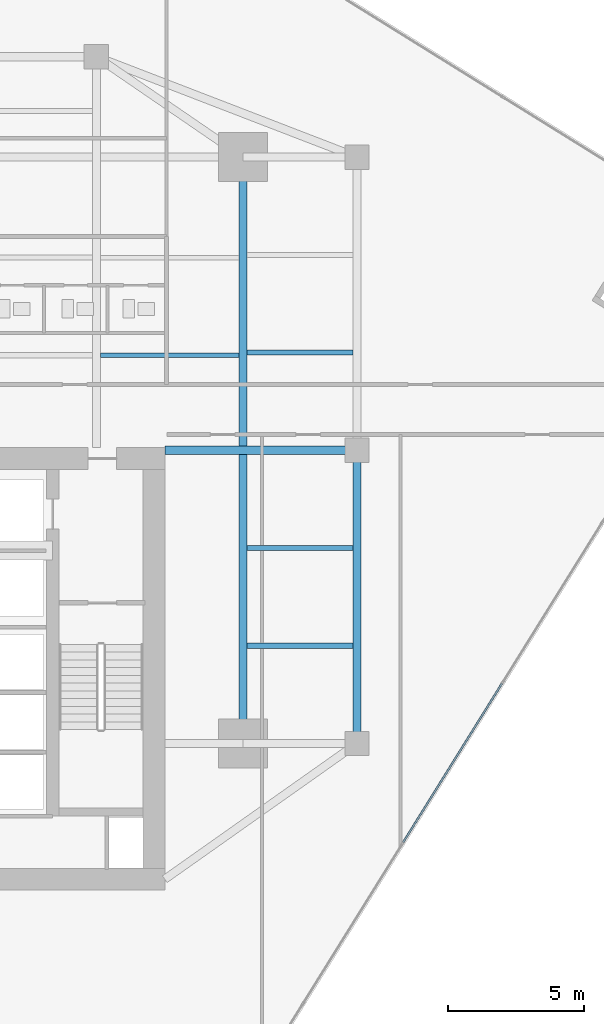
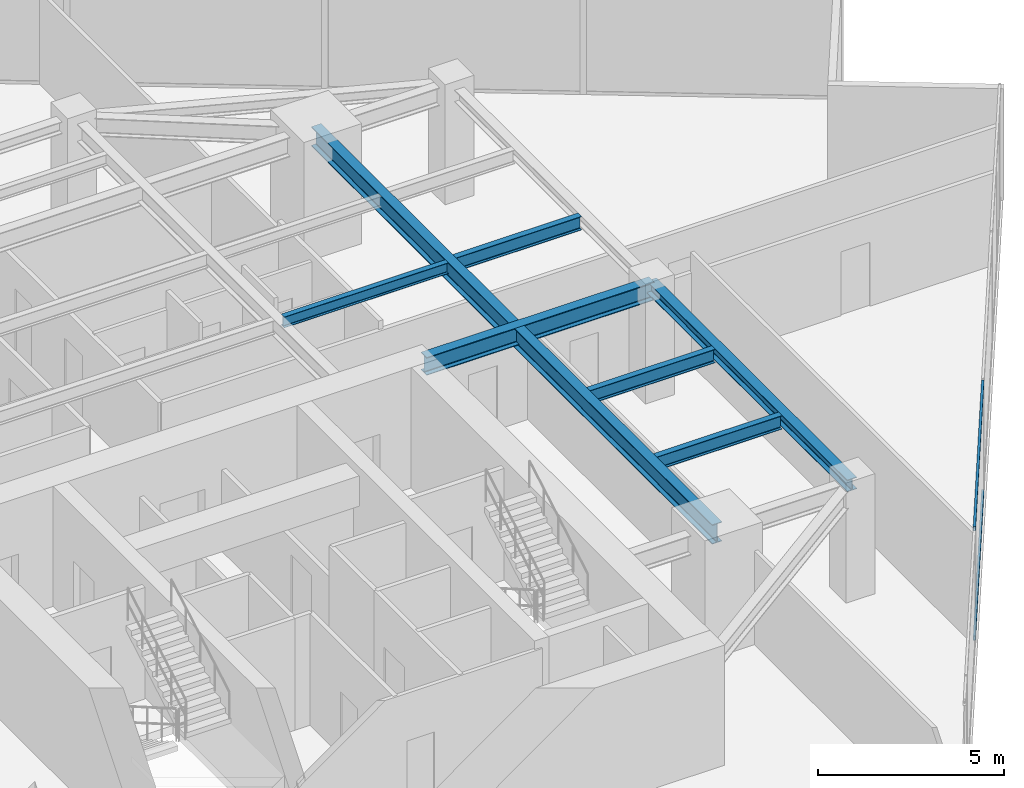
# One storey, part 10 of 25: 7 beams, 2 members, 1 element without a shape of its own.
"""IFC4 building model written with IfcOpenShell, lengths in metres."""

from ifc_helpers import new_model, si_unit, direction, frame, origin, origin_2d, place, context, subcontext, project, spatial, hollow_rectangle, i_section, extrude, source, transform, mapped, material, material_profile, profile_set, type_object, type_shapes, element, aggregate, save


model = new_model("IFC4")

# Units and contexts
model_context = context("Model", 3, precision=1e-05, world=origin(), true_north=direction((0.0, 1.0)))
body_context = subcontext(model_context, "Body", "Model", "MODEL_VIEW")
ifc_project = project(units=[si_unit("LENGTHUNIT", "METRE"), si_unit("AREAUNIT", "SQUARE_METRE"), si_unit("VOLUMEUNIT", "CUBIC_METRE"), si_unit("PLANEANGLEUNIT", "RADIAN"), si_unit("MASSUNIT", "GRAM", prefix="KILO")], contexts=[model_context])

# Site, building, storey
site_placement = place(None, origin())
site = spatial("IfcSite", under=ifc_project, at=site_placement, CompositionType="ELEMENT")
building_placement = place(site_placement, origin())
building = spatial("IfcBuilding", under=site, at=building_placement, Name="Krantzveldt Concourse Tower", CompositionType="ELEMENT")
storey_placement = place(building_placement, frame((0.0, 0.0, 177.800048828125)))
storey = spatial("IfcBuildingStorey", under=building, at=storey_placement, Name="L43", CompositionType="ELEMENT", Elevation=177.800048828125)

# Beams
ifc_material_1 = material(Name="Steel S355JR", Category="steel")
ifc_material_profile_1 = material_profile(ifc_material_1, i_section(OverallWidth=0.300048828125, OverallDepth=0.639892578125, WebThickness=0.013427734375, FlangeThickness=0.02587890625, FilletRadius=0.027099609375, at=origin_2d()), Name="Steel S355JR", Category="steel")
ifc_profile_set_1 = profile_set([ifc_material_profile_1], Name="Steel S355JR - HEA 650")
beam_type_1 = type_object("IfcBeamType", Name="BM-B-HEA650", PredefinedType="BEAM", material=ifc_profile_set_1)
shared_shape_1 = source(origin(), body_context, "Body", "SweptSolid", [
    extrude(i_section(OverallWidth=0.300048828125, OverallDepth=0.639892578125, WebThickness=0.013427734375, FlangeThickness=0.02587890625, FilletRadius=0.027099609375, at=origin_2d()), origin(), (0.0, 0.0, 1.0), 21.60009765625),
])
type_shapes(beam_type_1, [shared_shape_1])
beam_1_placement = place(storey_placement, frame((46.800048828125, 15.89990234375, 3.349853515625), z_axis=(0.0, 1.0, 0.0), x_axis=(-1.0, 0.0, 0.0)))
element("IfcBeam", 1, at=beam_1_placement, inside=storey, type_object=beam_type_1, Name="L43 Tower Girder BG-ME", PredefinedType="BEAM", context=body_context, shape_type="MappedRepresentation", body=[
    mapped(shared_shape_1, transform((0.0, 0.0, 0.0), x_axis=(1.0, 0.0, 0.0), y_axis=(0.0, 1.0, 0.0), z_axis=(0.0, 0.0, 1.0), scale=1.0)),
])
ifc_material_profile_2 = material_profile(ifc_material_1, i_section(OverallWidth=0.300048828125, OverallDepth=0.590087890625, WebThickness=0.012939453125, FlangeThickness=0.02490234375, FilletRadius=0.027099609375, at=origin_2d()), Name="Steel S355JR", Category="steel")
ifc_profile_set_2 = profile_set([ifc_material_profile_2], Name="Steel S355JR - HEA 600")
beam_type_2 = type_object("IfcBeamType", Name="BM-B-HEA600", PredefinedType="BEAM", material=ifc_profile_set_2)
shared_shape_2 = source(origin(), body_context, "Body", "SweptSolid", [
    extrude(i_section(OverallWidth=0.300048828125, OverallDepth=0.590087890625, WebThickness=0.012939453125, FlangeThickness=0.02490234375, FilletRadius=0.027099609375, at=origin_2d()), origin(), (0.0, 0.0, 1.0), 7.080078125),
])
type_shapes(beam_type_2, [shared_shape_2])
beam_2_placement = place(storey_placement, frame((43.919921875, 26.699951171875, 3.375), z_axis=(1.0, 0.0, 0.0), x_axis=(0.0, 1.0, 0.0)))
element("IfcBeam", 2, at=beam_2_placement, inside=storey, type_object=beam_type_2, Name="L43 Tower Girder BG-CE2", PredefinedType="BEAM", context=body_context, shape_type="MappedRepresentation", body=[
    mapped(shared_shape_2, transform((0.0, 0.0, 0.0), x_axis=(1.0, 0.0, 0.0), y_axis=(0.0, 1.0, 0.0), z_axis=(0.0, 0.0, 1.0), scale=1.0)),
])
ifc_material_profile_3 = material_profile(ifc_material_1, i_section(OverallWidth=0.300048828125, OverallDepth=0.389892578125, WebThickness=0.010986328125, FlangeThickness=0.01904296875, FilletRadius=0.027099609375, at=origin_2d()), Name="Steel S355JR", Category="steel")
ifc_profile_set_3 = profile_set([ifc_material_profile_3], Name="Steel S355JR - HEA 400")
beam_type_3 = type_object("IfcBeamType", Name="BM-SP-HEA400", PredefinedType="SPANDREL", material=ifc_profile_set_3)
shared_shape_3 = source(origin(), body_context, "Body", "SweptSolid", [
    extrude(i_section(OverallWidth=0.300048828125, OverallDepth=0.389892578125, WebThickness=0.010986328125, FlangeThickness=0.01904296875, FilletRadius=0.027099609375, at=origin_2d()), origin(), (0.0, 0.0, 1.0), 10.800048828125),
])
type_shapes(beam_type_3, [shared_shape_3])
beam_3_placement = place(storey_placement, frame((51.0, 26.699951171875, 3.474853515625), z_axis=(0.0, -1.0, 0.0), x_axis=(1.0, 0.0, 0.0)))
element("IfcBeam", 3, at=beam_3_placement, inside=storey, type_object=beam_type_3, Name="L43 Tower Girder SP-R07", PredefinedType="SPANDREL", context=body_context, shape_type="MappedRepresentation", body=[
    mapped(shared_shape_3, transform((0.0, 0.0, 0.0), x_axis=(1.0, 0.0, 0.0), y_axis=(0.0, 1.0, 0.0), z_axis=(0.0, 0.0, 1.0), scale=1.0)),
])
ifc_material_profile_4 = material_profile(ifc_material_1, i_section(OverallWidth=0.169921875, OverallDepth=0.360107421875, WebThickness=0.008056640625, FlangeThickness=0.0126953125, FilletRadius=0.01806640625, at=origin_2d()), Name="Steel S355JR", Category="steel")
ifc_profile_set_4 = profile_set([ifc_material_profile_4], Name="Steel S355JR - IPE 360")
beam_type_4 = type_object("IfcBeamType", Name="BM-J-IPE360", PredefinedType="JOIST", material=ifc_profile_set_4)
shared_shape_4 = source(origin(), body_context, "Body", "SweptSolid", [
    extrude(i_section(OverallWidth=0.169921875, OverallDepth=0.360107421875, WebThickness=0.008056640625, FlangeThickness=0.0126953125, FilletRadius=0.01806640625, at=origin_2d()), origin(), (0.0, 0.0, 1.0), 5.099853515625),
])
type_shapes(beam_type_4, [shared_shape_4])
beam_4_placement = place(storey_placement, frame((41.550048828125, 30.199951171875, 3.489990234375), z_axis=(1.0, 0.0, 0.0), x_axis=(0.0, 1.0, 0.0)))
element("IfcBeam", 4, at=beam_4_placement, inside=storey, type_object=beam_type_4, Name="L43 Secondary Floor Joist JN-E1", PredefinedType="JOIST", context=body_context, shape_type="MappedRepresentation", body=[
    mapped(shared_shape_4, transform((0.0, 0.0, 0.0), x_axis=(1.0, 0.0, 0.0), y_axis=(0.0, 1.0, 0.0), z_axis=(0.0, 0.0, 1.0), scale=1.0)),
])
ifc_material_profile_5 = material_profile(ifc_material_1, i_section(OverallWidth=0.18994140625, OverallDepth=0.449951171875, WebThickness=0.009521484375, FlangeThickness=0.0146484375, FilletRadius=0.02099609375, at=origin_2d()), Name="Steel S355JR", Category="steel")
ifc_profile_set_5 = profile_set([ifc_material_profile_5], Name="Steel S355JR - IPE 450")
beam_type_5 = type_object("IfcBeamType", Name="BM-J-IPE450", PredefinedType="JOIST", material=ifc_profile_set_5)
shared_shape_5 = source(origin(), body_context, "Body", "SweptSolid", [
    extrude(i_section(OverallWidth=0.18994140625, OverallDepth=0.449951171875, WebThickness=0.009521484375, FlangeThickness=0.0146484375, FilletRadius=0.02099609375, at=origin_2d()), origin(), (0.0, 0.0, 1.0), 3.900146484375),
])
type_shapes(beam_type_5, [shared_shape_5])
for number, where, z_axis, x_axis, name in (
    (5, (46.949951171875, 19.5, 3.445068359375), (1.0, 0.0, 0.0), (0.0, 1.0, 0.0), "L43 Secondary Floor Joist JE-1"),
    (6, (46.949951171875, 23.10009765625, 3.445068359375), (1.0, 0.0, 0.0), (0.0, 1.0, 0.0), "L43 Secondary Floor Joist JE-2"),
    (7, (46.949951171875, 30.300048828125, 3.445068359375), (1.0, 0.0, 0.0), (0.0, 1.0, 0.0), "L43 Secondary Floor Joist JE-3"),
):
    element("IfcBeam", number, at=place(storey_placement, frame(where, z_axis=z_axis, x_axis=x_axis)), inside=storey, type_object=beam_type_5, Name=name, PredefinedType="JOIST", context=body_context, shape_type="MappedRepresentation", body=[
        mapped(shared_shape_5, transform((0.0, 0.0, 0.0), x_axis=(1.0, 0.0, 0.0), y_axis=(0.0, 1.0, 0.0), z_axis=(0.0, 0.0, 1.0), scale=1.0)),
    ])

# Curtain wall, members
ifc_material_2 = material(Name="Anodised aluminium 6063-T6", Category="aluminium")
curtain_wall_type = type_object("IfcCurtainWallType", Name="CW3", PredefinedType="USERDEFINED", material=ifc_material_2)
curtain_wall_placement = place(storey_placement, origin())
curtain_wall = element("IfcCurtainWall", 8, at=curtain_wall_placement, inside=storey, type_object=curtain_wall_type, Name="CW-L43-F07", ObjectType="UNITISED CURTAIN WALL", PredefinedType="USERDEFINED")
ifc_material_profile_6 = material_profile(ifc_material_2, hollow_rectangle(XDim=0.070068359375, YDim=0.139892578125, WallThickness=0.0048828125, at=origin_2d()), Name="Anodised aluminium 6063-T6", Category="aluminium")
ifc_profile_set_6 = profile_set([ifc_material_profile_6], Name="Anodised aluminium 6063-T6 - ALU-TRAN 140x70x5")
member_type = type_object("IfcMemberType", Name="CW-TRN-150", PredefinedType="USERDEFINED", material=ifc_profile_set_6)
shared_shape_6 = source(origin(), body_context, "Body", "SweptSolid", [
    extrude(hollow_rectangle(XDim=0.070068359375, YDim=0.139892578125, WallThickness=0.0048828125, at=origin_2d()), origin(), (0.0, 0.0, 1.0), 6.89013671875),
])
type_shapes(member_type, [shared_shape_6])
member_1_placement = place(storey_placement, frame((52.701904296875, 12.25732421875, 0.034912109375), z_axis=(0.528067429464, 0.849202443437, 0.0), x_axis=(-0.849202443437, 0.528067429464, 0.0)))
member_1 = element("IfcMember", 9, at=member_1_placement, type_object=member_type, Name="CW-Z34 transom 3.1", ObjectType="TRANSOM", PredefinedType="USERDEFINED", context=body_context, shape_type="MappedRepresentation", body=[
    mapped(shared_shape_6, transform((0.0, 0.0, 0.0), x_axis=(1.0, 0.0, 0.0), y_axis=(0.0, 1.0, 0.0), z_axis=(0.0, 0.0, 1.0), scale=1.0)),
])
member_2_placement = place(storey_placement, frame((52.701904296875, 12.25732421875, 3.635009765625), z_axis=(0.528067429464, 0.849202443437, 0.0), x_axis=(-0.849202443437, 0.528067429464, 0.0)))
member_2 = element("IfcMember", 10, at=member_2_placement, type_object=member_type, Name="CW-Z34 transom 3.2", ObjectType="TRANSOM", PredefinedType="USERDEFINED", context=body_context, shape_type="MappedRepresentation", body=[
    mapped(shared_shape_6, transform((0.0, 0.0, 0.0), x_axis=(1.0, 0.0, 0.0), y_axis=(0.0, 1.0, 0.0), z_axis=(0.0, 0.0, 1.0), scale=1.0)),
])
aggregate(curtain_wall, [member_1, member_2])

save(model, "model.ifc")
